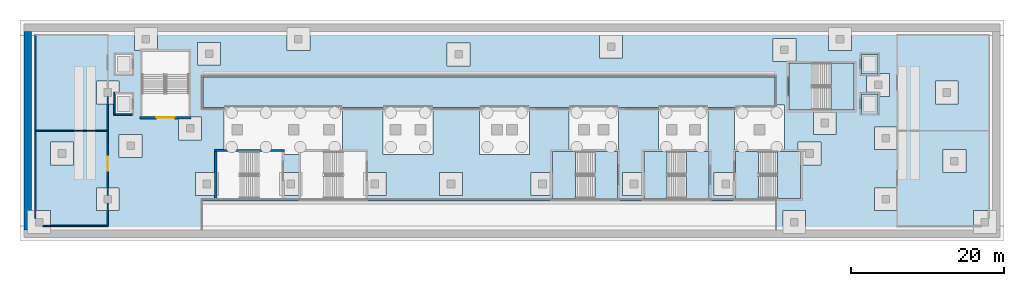
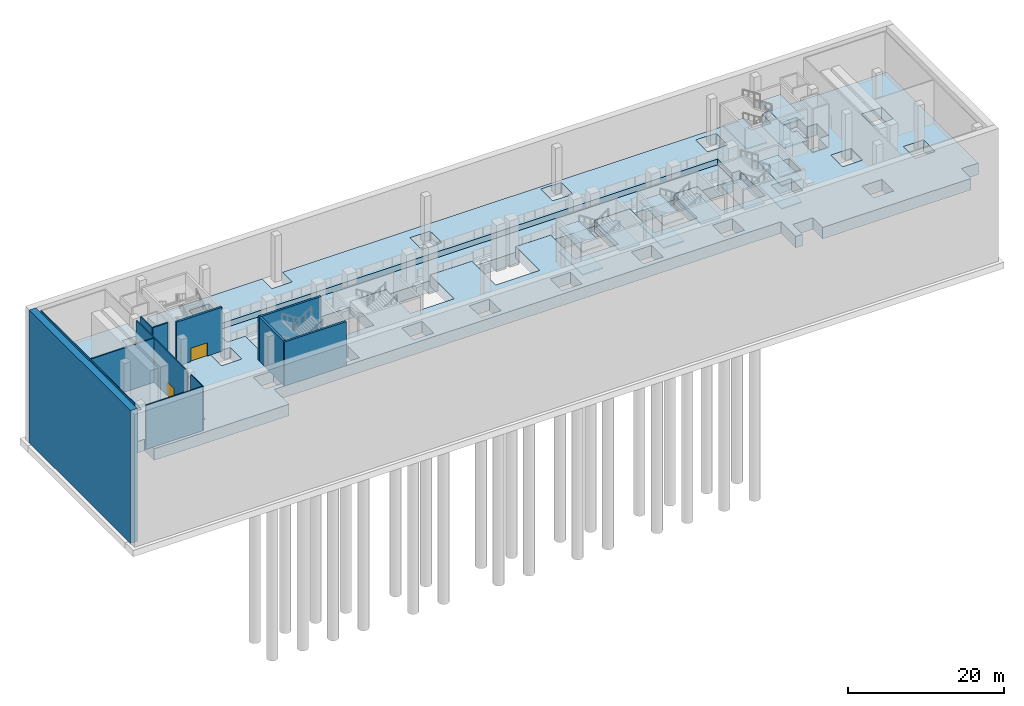
# One storey, part 2 of 15: 16 slabs, 12 walls, 2 doors, 2 openings, 4 elements without a shape of their own.
"""IFC4 building model written with IfcOpenShell, lengths in metres."""

from ifc_helpers import new_model, si_unit, direction, frame, frame_2d, origin, place, context, subcontext, project, spatial, polyline, rectangle, outline, extrude, material, layer, layer_set, type_object, element, fill, aggregate, save


model = new_model("IFC4")

# Units and contexts
model_context = context("Model", 3, precision=1e-05, world=origin(), true_north=direction((0.0, 1.0)))
body_context = subcontext(model_context, "Body", "Model", "MODEL_VIEW")
ifc_project = project(units=[si_unit("LENGTHUNIT", "METRE"), si_unit("AREAUNIT", "SQUARE_METRE"), si_unit("VOLUMEUNIT", "CUBIC_METRE"), si_unit("PLANEANGLEUNIT", "RADIAN"), si_unit("MASSUNIT", "GRAM", prefix="KILO")], contexts=[model_context])

# Site, building, storey
site_placement = place(None, origin())
site = spatial("IfcSite", under=ifc_project, at=site_placement, CompositionType="ELEMENT")
building_placement = place(site_placement, origin())
building = spatial("IfcBuilding", under=site, at=building_placement, Name="Wharfspan Tower", CompositionType="ELEMENT")
storey_placement = place(building_placement, frame((0.0, 0.0, -14.399902)))
storey = spatial("IfcBuildingStorey", under=building, at=storey_placement, Name="B2", CompositionType="ELEMENT", Elevation=-14.399902)

# Slabs
ifc_material_1 = material(Name="Concrete C35/45", Category="concrete")
ifc_layer_1 = layer(ifc_material_1, 0.300049)
ifc_layer_set_1 = layer_set([ifc_layer_1], Name="Concrete C35/45")
slab_type_1 = type_object("IfcSlabType", Name="Lift pit slab 300", PredefinedType="BASESLAB", material=ifc_layer_set_1)
slab_1_placement = place(storey_placement, frame((0.0, 0.0, -1.800049)))
element("IfcSlab", 1, at=slab_1_placement, inside=storey, type_object=slab_type_1, Name="Lift pit slab LP2", PredefinedType="BASESLAB", context=body_context, shape_type="SweptSolid", body=[
    extrude(outline(polyline([(96.0, -19.800049), (96.0, -17.199951), (93.800049, -17.199951), (93.800049, -19.800049), (96.0, -19.800049)])), origin(), (0.0, 0.0, 1.0), 0.300049),
])
slab_2_placement = place(storey_placement, frame((0.0, 0.0, -1.800049)))
element("IfcSlab", 2, at=slab_2_placement, inside=storey, type_object=slab_type_1, Name="Lift pit slab LP4", PredefinedType="BASESLAB", context=body_context, shape_type="SweptSolid", body=[
    extrude(outline(polyline([(96.0, -14.600098), (96.0, -12.0), (93.800049, -12.0), (93.800049, -14.600098), (96.0, -14.600098)])), origin(), (0.0, 0.0, 1.0), 0.300049),
])

# Stair, slabs
ifc_material_2 = material(Name="Concrete C40/50", Category="concrete")
stair_type = type_object("IfcStairType", Name="Half-turn stair 3000 wide 40 risers 180 mm", PredefinedType="HALF_TURN_STAIR", material=ifc_material_2)
stair_1_placement = place(storey_placement, origin())
stair_1 = element("IfcStair", 3, at=stair_1_placement, inside=storey, type_object=stair_type, Name="B2 stair SB3", PredefinedType="HALF_TURN_STAIR")
ifc_layer_2 = layer(ifc_material_2, 0.199951)
ifc_layer_set_2 = layer_set([ifc_layer_2], Name="Concrete C40/50")
slab_type_2 = type_object("IfcSlabType", Name="Podium stair landing 200", PredefinedType="LANDING", material=ifc_layer_set_2)
slab_3_placement = place(storey_placement, frame((0.0, 0.0, 1.599609)))
slab_3 = element("IfcSlab", 4, at=slab_3_placement, type_object=slab_type_2, Name="SB3 landing 1", PredefinedType="LANDING", context=body_context, shape_type="SweptSolid", body=[
    extrude(outline(polyline([(56.330078, -24.75), (53.300049, -24.75), (53.300049, -30.899902), (56.330078, -30.899902), (56.330078, -24.75)])), origin(), (0.0, 0.0, 1.0), 0.200195),
])
slab_4_placement = place(storey_placement, frame((0.0, 0.0, 3.399658)))
slab_4 = element("IfcSlab", 5, at=slab_4_placement, type_object=slab_type_2, Name="SB3 landing 2", PredefinedType="LANDING", context=body_context, shape_type="SweptSolid", body=[
    extrude(outline(polyline([(61.850098, -24.75), (58.850098, -24.75), (58.850098, -30.899902), (61.850098, -30.899902), (61.850098, -24.75)])), origin(), (0.0, 0.0, 1.0), 0.200195),
])
slab_5_placement = place(storey_placement, frame((0.0, 0.0, 5.199707)))
slab_5 = element("IfcSlab", 6, at=slab_5_placement, type_object=slab_type_2, Name="SB3 landing 3", PredefinedType="LANDING", context=body_context, shape_type="SweptSolid", body=[
    extrude(outline(polyline([(56.330078, -24.75), (53.300049, -24.75), (53.300049, -30.899902), (56.330078, -30.899902), (56.330078, -24.75)])), origin(), (0.0, 0.0, 1.0), 0.200195),
])
aggregate(stair_1, [slab_3, slab_4, slab_5])

stair_2_placement = place(storey_placement, origin())
stair_2 = element("IfcStair", 7, at=stair_2_placement, inside=storey, type_object=stair_type, Name="B2 stair SB4", PredefinedType="HALF_TURN_STAIR")
slab_6_placement = place(storey_placement, frame((0.0, 0.0, 1.599609)))
slab_6 = element("IfcSlab", 8, at=slab_6_placement, type_object=slab_type_2, Name="SB4 landing 1", PredefinedType="LANDING", context=body_context, shape_type="SweptSolid", body=[
    extrude(outline(polyline([(68.330078, -24.75), (65.300049, -24.75), (65.300049, -30.899902), (68.330078, -30.899902), (68.330078, -24.75)])), origin(), (0.0, 0.0, 1.0), 0.200195),
])
slab_7_placement = place(storey_placement, frame((0.0, 0.0, 3.399658)))
slab_7 = element("IfcSlab", 9, at=slab_7_placement, type_object=slab_type_2, Name="SB4 landing 2", PredefinedType="LANDING", context=body_context, shape_type="SweptSolid", body=[
    extrude(outline(polyline([(73.850098, -24.75), (70.850098, -24.75), (70.850098, -30.899902), (73.850098, -30.899902), (73.850098, -24.75)])), origin(), (0.0, 0.0, 1.0), 0.200195),
])
slab_8_placement = place(storey_placement, frame((0.0, 0.0, 5.199707)))
slab_8 = element("IfcSlab", 10, at=slab_8_placement, type_object=slab_type_2, Name="SB4 landing 3", PredefinedType="LANDING", context=body_context, shape_type="SweptSolid", body=[
    extrude(outline(polyline([(68.330078, -24.75), (65.300049, -24.75), (65.300049, -30.899902), (68.330078, -30.899902), (68.330078, -24.75)])), origin(), (0.0, 0.0, 1.0), 0.200195),
])
aggregate(stair_2, [slab_6, slab_7, slab_8])

stair_3_placement = place(storey_placement, origin())
stair_3 = element("IfcStair", 11, at=stair_3_placement, inside=storey, type_object=stair_type, Name="B2 stair SB5", PredefinedType="HALF_TURN_STAIR")
slab_9_placement = place(storey_placement, frame((0.0, 0.0, 1.599609)))
slab_9 = element("IfcSlab", 12, at=slab_9_placement, type_object=slab_type_2, Name="SB5 landing 1", PredefinedType="LANDING", context=body_context, shape_type="SweptSolid", body=[
    extrude(outline(polyline([(82.820068, -30.899902), (85.850098, -30.899902), (85.850098, -24.75), (82.820068, -24.75), (82.820068, -30.899902)])), origin(), (0.0, 0.0, 1.0), 0.200195),
])
slab_10_placement = place(storey_placement, frame((0.0, 0.0, 3.399658)))
slab_10 = element("IfcSlab", 13, at=slab_10_placement, type_object=slab_type_2, Name="SB5 landing 2", PredefinedType="LANDING", context=body_context, shape_type="SweptSolid", body=[
    extrude(outline(polyline([(77.300049, -30.899902), (80.300049, -30.899902), (80.300049, -24.75), (77.300049, -24.75), (77.300049, -30.899902)])), origin(), (0.0, 0.0, 1.0), 0.200195),
])
slab_11_placement = place(storey_placement, frame((0.0, 0.0, 5.199707)))
slab_11 = element("IfcSlab", 14, at=slab_11_placement, type_object=slab_type_2, Name="SB5 landing 3", PredefinedType="LANDING", context=body_context, shape_type="SweptSolid", body=[
    extrude(outline(polyline([(82.820068, -30.899902), (85.850098, -30.899902), (85.850098, -24.75), (82.820068, -24.75), (82.820068, -30.899902)])), origin(), (0.0, 0.0, 1.0), 0.200195),
])
aggregate(stair_3, [slab_9, slab_10, slab_11])

stair_4_placement = place(storey_placement, origin())
stair_4 = element("IfcStair", 15, at=stair_4_placement, inside=storey, type_object=stair_type, Name="B2 stair SB7", PredefinedType="HALF_TURN_STAIR")
slab_12_placement = place(storey_placement, frame((0.0, 0.0, 1.599609)))
slab_12 = element("IfcSlab", 16, at=slab_12_placement, type_object=slab_type_2, Name="SB7 landing 1", PredefinedType="LANDING", context=body_context, shape_type="SweptSolid", body=[
    extrude(outline(polyline([(89.820068, -19.300049), (92.850098, -19.300049), (92.850098, -13.149902), (89.820068, -13.149902), (89.820068, -19.300049)])), origin(), (0.0, 0.0, 1.0), 0.200195),
])
slab_13_placement = place(storey_placement, frame((0.0, 0.0, 3.399658)))
slab_13 = element("IfcSlab", 17, at=slab_13_placement, type_object=slab_type_2, Name="SB7 landing 2", PredefinedType="LANDING", context=body_context, shape_type="SweptSolid", body=[
    extrude(outline(polyline([(84.300049, -19.300049), (87.300049, -19.300049), (87.300049, -13.149902), (84.300049, -13.149902), (84.300049, -19.300049)])), origin(), (0.0, 0.0, 1.0), 0.200195),
])
slab_14_placement = place(storey_placement, frame((0.0, 0.0, 5.199707)))
slab_14 = element("IfcSlab", 18, at=slab_14_placement, type_object=slab_type_2, Name="SB7 landing 3", PredefinedType="LANDING", context=body_context, shape_type="SweptSolid", body=[
    extrude(outline(polyline([(89.820068, -19.300049), (92.850098, -19.300049), (92.850098, -13.149902), (89.820068, -13.149902), (89.820068, -19.300049)])), origin(), (0.0, 0.0, 1.0), 0.200195),
])
aggregate(stair_4, [slab_12, slab_13, slab_14])

# Slabs
ifc_layer_3 = layer(ifc_material_1, 1.800049)
ifc_layer_set_3 = layer_set([ifc_layer_3], Name="Concrete C35/45")
slab_type_3 = type_object("IfcSlabType", Name="Station base slab 1800", PredefinedType="BASESLAB", material=ifc_layer_set_3)
slab_15_placement = place(storey_placement, frame((0.0, 0.0, -1.800049)))
element("IfcSlab", 19, at=slab_15_placement, inside=storey, type_object=slab_type_3, Name="Station platform slab", PredefinedType="BASESLAB", context=body_context, shape_type="SweptSolid", body=[
    extrude(outline(polyline([(-1.5, -9.0), (-1.5, -11.5), (1.5, -11.5), (1.5, -9.0), (18.5, -9.0), (18.5, -11.5), (21.5, -11.5), (21.5, -9.0), (89.5, -9.0), (89.5, -11.5), (92.5, -11.5), (92.5, -9.0), (111.0, -9.0), (111.0, -32.5), (108.5, -32.5), (108.5, -35.0), (86.5, -35.0), (86.5, -32.5), (83.5, -32.5), (83.5, -35.0), (82.5, -35.0), (82.5, -31.199951), (7.5, -31.199951), (7.5, -35.0), (-12.5, -35.0), (-12.5, -32.5), (-15.0, -32.5), (-15.0, -9.0), (-1.5, -9.0)]), holes=[polyline([(7.5, -15.0), (7.5, -19.0), (10.25, -19.0), (10.25, -25.149902), (25.75, -25.149902), (25.75, -19.0), (31.112061, -19.0), (31.112061, -25.149902), (37.612061, -25.149902), (37.612061, -19.0), (43.770996, -19.0), (43.770996, -25.149902), (50.270996, -25.149902), (50.270996, -19.0), (55.470947, -19.0), (55.470947, -25.149902), (61.970947, -25.149902), (61.970947, -19.0), (67.220947, -19.0), (67.220947, -25.149902), (73.720947, -25.149902), (73.720947, -19.0), (77.191895, -19.0), (77.191895, -25.149902), (83.691895, -25.149902), (83.691895, -18.649902), (82.5, -18.649902), (82.5, -15.0), (7.5, -15.0)]), polyline([(-3.5, -29.5), (-6.5, -29.5), (-6.5, -32.5), (-3.5, -32.5), (-3.5, -29.5)]), polyline([(53.5, -27.5), (50.5, -27.5), (50.5, -30.5), (53.5, -30.5), (53.5, -27.5)]), polyline([(41.5, -27.5), (38.5, -27.5), (38.5, -30.5), (41.5, -30.5), (41.5, -27.5)]), polyline([(31.5, -27.5), (28.5, -27.5), (28.5, -30.5), (31.5, -30.5), (31.5, -27.5)]), polyline([(20.5, -27.5), (17.5, -27.5), (17.5, -30.5), (20.5, -30.5), (20.5, -27.5)]), polyline([(9.5, -27.5), (6.5, -27.5), (6.5, -30.5), (9.5, -30.5), (9.5, -27.5)]), polyline([(-9.5, -23.5), (-12.5, -23.5), (-12.5, -26.5), (-9.5, -26.5), (-9.5, -23.5)]), polyline([(-0.5, -22.5), (-3.5, -22.5), (-3.5, -25.5), (-0.5, -25.5), (-0.5, -22.5)]), polyline([(7.300049, -20.199951), (4.300049, -20.199951), (4.300049, -23.199951), (7.300049, -23.199951), (7.300049, -20.199951)]), polyline([(-3.5, -15.5), (-6.5, -15.5), (-6.5, -18.5), (-4.0, -18.5), (-4.0, -19.800049), (-1.800049, -19.800049), (-1.800049, -17.199951), (-3.5, -17.199951), (-3.5, -15.5)]), polyline([(42.5, -10.5), (39.5, -10.5), (39.5, -13.5), (42.5, -13.5), (42.5, -10.5)]), polyline([(9.800049, -13.419922), (9.800049, -10.419922), (6.800049, -10.419922), (6.800049, -13.419922), (9.800049, -13.419922)]), polyline([(98.5, -29.5), (95.5, -29.5), (95.5, -32.5), (98.5, -32.5), (98.5, -29.5)]), polyline([(65.5, -27.5), (62.5, -27.5), (62.5, -30.5), (65.5, -30.5), (65.5, -27.5)]), polyline([(77.5, -27.5), (74.5, -27.5), (74.5, -30.5), (77.5, -30.5), (77.5, -27.5)]), polyline([(107.5, -24.5), (104.5, -24.5), (104.5, -27.5), (107.5, -27.5), (107.5, -24.5)]), polyline([(88.5, -26.5), (88.5, -23.5), (85.5, -23.5), (85.5, -26.5), (88.5, -26.5)]), polyline([(98.5, -24.5), (98.5, -21.5), (95.5, -21.5), (95.5, -24.5), (98.5, -24.5)]), polyline([(90.5, -19.5), (87.5, -19.5), (87.5, -22.5), (90.5, -22.5), (90.5, -19.5)]), polyline([(106.5, -15.5), (103.5, -15.5), (103.5, -18.5), (106.5, -18.5), (106.5, -15.5)]), polyline([(97.5, -14.5), (96.0, -14.5), (96.0, -12.0), (93.800049, -12.0), (93.800049, -14.600098), (94.5, -14.600098), (94.5, -17.199951), (93.800049, -17.199951), (93.800049, -19.800049), (96.0, -19.800049), (96.0, -17.5), (97.5, -17.5), (97.5, -14.5)]), polyline([(85.199951, -9.919922), (82.199951, -9.919922), (82.199951, -12.919922), (85.199951, -12.919922), (85.199951, -9.919922)]), polyline([(62.5, -12.5), (62.5, -9.5), (59.5, -9.5), (59.5, -12.5), (62.5, -12.5)]), polyline([(-4.0, -14.600098), (-1.800049, -14.600098), (-1.800049, -12.0), (-4.0, -12.0), (-4.0, -14.600098)])]), origin(), (0.0, 0.0, 1.0), 1.800049),
])
ifc_layer_4 = layer(ifc_material_1, 1.800049)
ifc_layer_set_4 = layer_set([ifc_layer_4], Name="Concrete C35/45")
slab_type_4 = type_object("IfcSlabType", Name="Track trough slab 1800", PredefinedType="BASESLAB", material=ifc_layer_set_4)
slab_16_placement = place(storey_placement, frame((0.0, 0.0, -2.700195)))
element("IfcSlab", 20, at=slab_16_placement, inside=storey, type_object=slab_type_4, Name="Track slab", PredefinedType="BASESLAB", context=body_context, shape_type="SweptSolid", body=[
    extrude(outline(polyline([(7.5, -19.0), (7.5, -15.0), (82.5, -15.0), (82.5, -19.0), (7.5, -19.0)])), origin(), (0.0, 0.0, 1.0), 1.800049),
])

# Walls
ifc_layer_5 = layer(ifc_material_1, 1.0)
ifc_layer_set_5 = layer_set([ifc_layer_5], Name="Concrete C35/45")
wall_type_1 = type_object("IfcWallType", Name="Diaphragm wall 1000", PredefinedType="SOLIDWALL", material=ifc_layer_set_5)
wall_1_placement = place(storey_placement, frame((-15.5, -35.0, -13.600098), z_axis=(0.0, 0.0, 1.0), x_axis=(0.0, 1.0, 0.0)))
element("IfcWall", 21, at=wall_1_placement, inside=storey, type_object=wall_type_1, Name="Diaphragm wall", PredefinedType="SOLIDWALL", context=body_context, shape_type="SweptSolid", body=[
    extrude(rectangle(XDim=26.0, YDim=1.0, at=frame_2d((13.0, 0.0))), origin(), (0.0, 0.0, 1.0), 20.800049),
])
ifc_material_3 = material(Name="Calcium silicate masonry", Category="masonry")
ifc_layer_6 = layer(ifc_material_3, 0.149902)
ifc_layer_set_6 = layer_set([ifc_layer_6], Name="Calcium silicate masonry")
wall_type_2 = type_object("IfcWallType", Name="Podium room wall 150", PredefinedType="PARTITIONING", material=ifc_layer_set_6)
wall_2_placement = place(storey_placement, frame((-13.48999, -34.5, 0.0), z_axis=(0.0, 0.0, 1.0), x_axis=(1.0, 0.0, 0.0)))
element("IfcWall", 22, at=wall_2_placement, inside=storey, type_object=wall_type_2, Name="iw:B2:1", PredefinedType="PARTITIONING", context=body_context, shape_type="SweptSolid", body=[
    extrude(rectangle(XDim=8.415039, YDim=0.149902, at=frame_2d((4.20752, 0.0))), origin(), (0.0, 0.0, 1.0), 6.899902),
])
wall_3_placement = place(storey_placement, frame((-5.0, -34.574951, 0.0), z_axis=(0.0, 0.0, 1.0), x_axis=(0.0, 1.0, 0.0)))
element("IfcWall", 23, at=wall_3_placement, inside=storey, type_object=wall_type_2, Name="iw:B2:3", PredefinedType="PARTITIONING", context=body_context, shape_type="SweptSolid", body=[
    extrude(rectangle(XDim=3.064941, YDim=0.149902, at=frame_2d((1.532471, 0.0))), origin(), (0.0, 0.0, 1.0), 6.899902),
])

# Wall, opening, door
wall_4_placement = place(storey_placement, frame((-5.0, -30.48999, 0.0), z_axis=(0.0, 0.0, 1.0), x_axis=(0.0, 1.0, 0.0)))
wall_4 = element("IfcWall", 24, at=wall_4_placement, inside=storey, type_object=wall_type_2, Name="iw:B2:4", PredefinedType="PARTITIONING", context=body_context, shape_type="SweptSolid", body=[
    extrude(rectangle(XDim=12.97998, YDim=0.149902, at=frame_2d((6.48999, 0.0))), origin(), (0.0, 0.0, 1.0), 6.899902),
])
opening_1_placement = place(wall_4_placement, frame((3.245117, 0.0, 0.0)))
opening_1 = element("IfcOpeningElement", 25, at=opening_1_placement, cuts=wall_4, Name="Opening PD2.1", PredefinedType="OPENING", context=body_context, shape_type="SweptSolid", body=[
    extrude(rectangle(XDim=1.800049, YDim=2.100098, at=frame_2d((0.899902, 1.050049))), frame((0.0, 0.084961, 0.0), z_axis=(0.0, -1.0, 0.0), x_axis=(1.0, 0.0, 0.0)), (0.0, 0.0, 1.0), 0.169922),
])
ifc_material_4 = material(Name="Steel door leaf", Category="steel")
door_type_1 = type_object("IfcDoorType", Name="Podium double door 1800x2100", OperationType="DOUBLE_DOOR_SINGLE_SWING", PredefinedType="DOOR", material=ifc_material_4)
door_1_placement = place(opening_1_placement, origin())
door_1 = element("IfcDoor", 26, at=door_1_placement, inside=storey, type_object=door_type_1, Name="id:B2:1", OperationType="DOUBLE_DOOR_SINGLE_SWING", OverallHeight=2.100098, OverallWidth=1.800049, PredefinedType="DOOR", context=body_context, shape_type="SweptSolid", body=[
    extrude(rectangle(XDim=1.800049, YDim=2.100098, at=frame_2d((0.899902, 1.050049))), frame((0.0, 0.024902, 0.0), z_axis=(0.0, -1.0, 0.0), x_axis=(1.0, 0.0, 0.0)), (0.0, 0.0, 1.0), 0.050049),
])
fill(opening_1, door_1)

# Walls
wall_5_placement = place(storey_placement, frame((-14.425049, -22.0, 0.0), z_axis=(0.0, 0.0, 1.0), x_axis=(1.0, 0.0, 0.0)))
element("IfcWall", 27, at=wall_5_placement, inside=storey, type_object=wall_type_2, Name="iw:B2:6", PredefinedType="PARTITIONING", context=body_context, shape_type="SweptSolid", body=[
    extrude(rectangle(XDim=9.350098, YDim=0.149902, at=frame_2d((4.675049, 0.0))), origin(), (0.0, 0.0, 1.0), 6.899902),
])
wall_6_placement = place(storey_placement, frame((-14.5, -33.48999, 0.0), z_axis=(0.0, 0.0, 1.0), x_axis=(0.0, 1.0, 0.0)))
element("IfcWall", 28, at=wall_6_placement, inside=storey, type_object=wall_type_2, Name="iw:B2:8", PredefinedType="PARTITIONING", context=body_context, shape_type="SweptSolid", body=[
    extrude(rectangle(XDim=24.064941, YDim=0.149902, at=frame_2d((12.032471, 0.0))), origin(), (0.0, 0.0, 1.0), 6.899902),
])
ifc_material_5 = material(Name="Concrete C30/37", Category="concrete")
ifc_layer_7 = layer(ifc_material_5, 0.199951)
ifc_layer_set_7 = layer_set([ifc_layer_7], Name="Concrete C30/37")
wall_type_3 = type_object("IfcWallType", Name="Podium shaft wall 200", PredefinedType="PARTITIONING", material=ifc_layer_set_7)
wall_7_placement = place(storey_placement, frame((-4.100098, -20.0, 0.0), z_axis=(0.0, 0.0, 1.0), x_axis=(0.0, 1.0, 0.0)))
element("IfcWall", 29, at=wall_7_placement, inside=storey, type_object=wall_type_3, Name="pl:LP1:B2:W", PredefinedType="PARTITIONING", context=body_context, shape_type="SweptSolid", body=[
    extrude(rectangle(XDim=3.0, YDim=0.199951, at=frame_2d((1.5, 0.0))), origin(), (0.0, 0.0, 1.0), 6.899902),
])
wall_8_placement = place(storey_placement, frame((-4.0, -19.899902, 0.0), z_axis=(0.0, 0.0, 1.0), x_axis=(1.0, 0.0, 0.0)))
element("IfcWall", 30, at=wall_8_placement, inside=storey, type_object=wall_type_3, Name="pl:LP1:B2:S", PredefinedType="PARTITIONING", context=body_context, shape_type="SweptSolid", body=[
    extrude(rectangle(XDim=2.199951, YDim=0.199951, at=frame_2d((1.100098, 0.0))), origin(), (0.0, 0.0, 1.0), 6.899902),
])
ifc_layer_8 = layer(ifc_material_2, 0.300049)
ifc_layer_set_8 = layer_set([ifc_layer_8], Name="Concrete C40/50")
wall_type_4 = type_object("IfcWallType", Name="Podium stair core wall 300", PredefinedType="SHEAR", material=ifc_layer_set_8)
for number, where, z_axis, x_axis, name in (
    (31, (9.0, -31.050049, 0.0), (0.0, 0.0, 1.0), (1.0, 0.0, 0.0), "iw:B2:SB1S"),
    (32, (9.0, -24.600098, 0.0), (0.0, 0.0, 1.0), (1.0, 0.0, 0.0), "iw:B2:SB1N"),
):
    element("IfcWall", number, at=place(storey_placement, frame(where, z_axis=z_axis, x_axis=x_axis)), inside=storey, type_object=wall_type_4, Name=name, PredefinedType="SHEAR", context=body_context, shape_type="SweptSolid", body=[
        extrude(rectangle(XDim=9.149902, YDim=0.300049, at=frame_2d((4.574951, 0.0))), origin(), (0.0, 0.0, 1.0), 6.899902),
    ])
wall_9_placement = place(storey_placement, frame((9.149902, -30.899902, 0.0), z_axis=(0.0, 0.0, 1.0), x_axis=(0.0, 1.0, 0.0)))
element("IfcWall", 33, at=wall_9_placement, inside=storey, type_object=wall_type_4, Name="iw:B2:SB1W", PredefinedType="SHEAR", context=body_context, shape_type="SweptSolid", body=[
    extrude(rectangle(XDim=6.149902, YDim=0.300049, at=frame_2d((3.074951, 0.0))), origin(), (0.0, 0.0, 1.0), 6.899902),
])

# Wall, opening, door
wall_10_placement = place(storey_placement, frame((-0.800049, -20.300049, 0.0), z_axis=(0.0, 0.0, 1.0), x_axis=(1.0, 0.0, 0.0)))
wall_10 = element("IfcWall", 34, at=wall_10_placement, inside=storey, type_object=wall_type_4, Name="iw:B2:SB6S", PredefinedType="SHEAR", context=body_context, shape_type="SweptSolid", body=[
    extrude(rectangle(XDim=6.75, YDim=0.300049, at=frame_2d((3.375, 0.0))), origin(), (0.0, 0.0, 1.0), 6.899902),
])
opening_2_placement = place(wall_10_placement, frame((2.175049, 0.0, 0.0)))
opening_2 = element("IfcOpeningElement", 35, at=opening_2_placement, cuts=wall_10, Name="Opening SDSB6.B2", PredefinedType="OPENING", context=body_context, shape_type="SweptSolid", body=[
    extrude(rectangle(XDim=2.399902, YDim=2.100098, at=frame_2d((1.199951, 1.050049))), frame((0.0, 0.159912, 0.0), z_axis=(0.0, -1.0, 0.0), x_axis=(1.0, 0.0, 0.0)), (0.0, 0.0, 1.0), 0.320068),
])
door_type_2 = type_object("IfcDoorType", Name="Podium stair door 2400x2100", OperationType="DOUBLE_DOOR_SINGLE_SWING", PredefinedType="DOOR", material=ifc_material_4)
door_2_placement = place(opening_2_placement, origin())
door_2 = element("IfcDoor", 36, at=door_2_placement, inside=storey, type_object=door_type_2, Name="id:B2:SB6", OperationType="DOUBLE_DOOR_SINGLE_SWING", OverallHeight=2.100098, OverallWidth=2.399902, PredefinedType="DOOR", context=body_context, shape_type="SweptSolid", body=[
    extrude(rectangle(XDim=2.399902, YDim=2.100098, at=frame_2d((1.199951, 1.050049))), frame((0.0, 0.024902, 0.0), z_axis=(0.0, -1.0, 0.0), x_axis=(1.0, 0.0, 0.0)), (0.0, 0.0, 1.0), 0.050049),
])
fill(opening_2, door_2)

save(model, "model.ifc")
